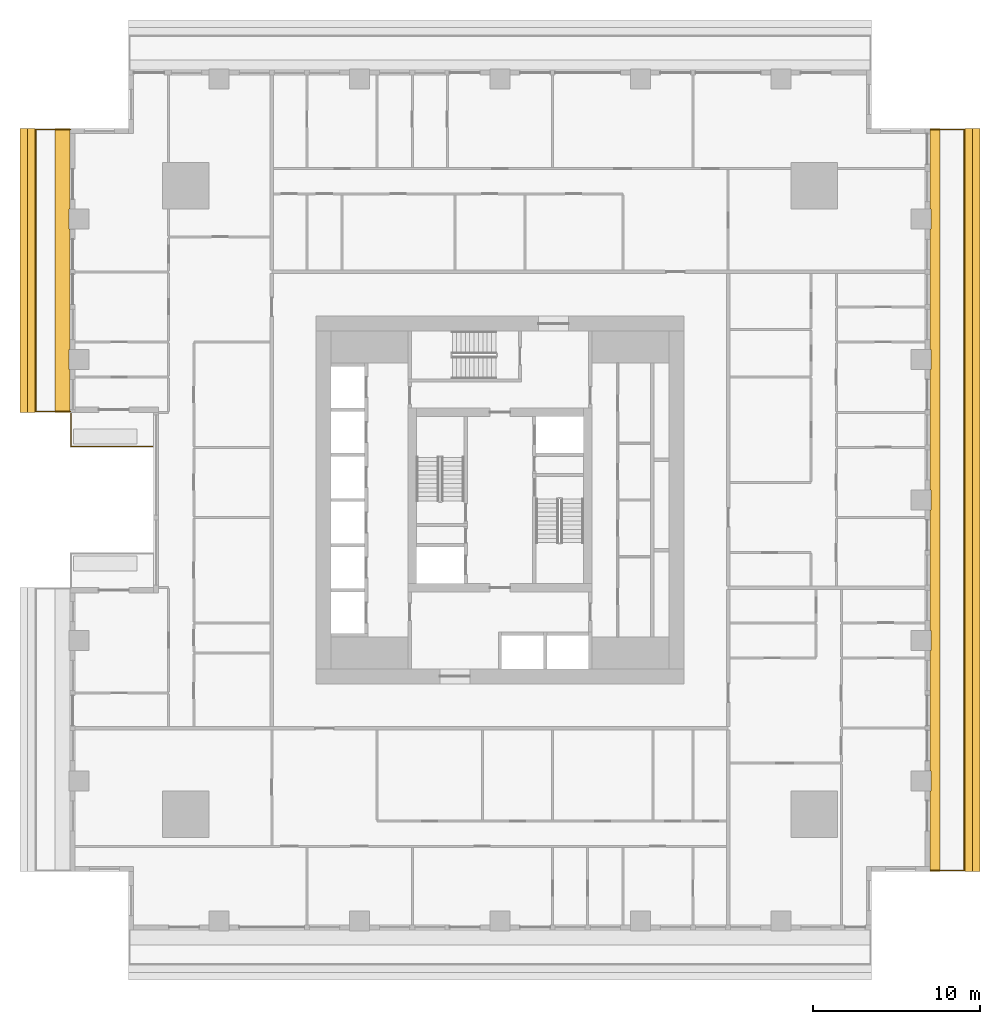
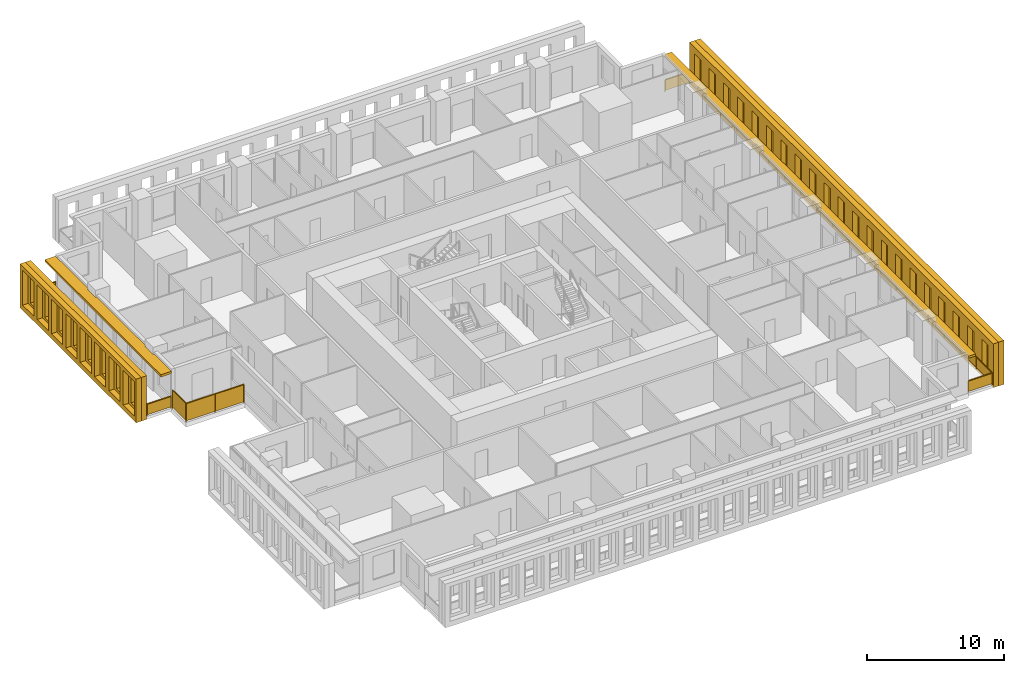
# One storey, part 12 of 14: 6 shading devices, 3 railings.
"""IFC4 building model written with IfcOpenShell, lengths in metres."""

from ifc_helpers import new_model, si_unit, direction, frame, origin, origin_2d, place, context, subcontext, project, spatial, polyline, rectangle, outline, extrude, material, layer, layer_set, type_object, element, save


model = new_model("IFC4")

# Units and contexts
model_context = context("Model", 3, precision=1e-05, world=origin(), true_north=direction((0.0, 1.0)))
body_context = subcontext(model_context, "Body", "Model", "MODEL_VIEW")
ifc_project = project(units=[si_unit("LENGTHUNIT", "METRE"), si_unit("AREAUNIT", "SQUARE_METRE"), si_unit("VOLUMEUNIT", "CUBIC_METRE"), si_unit("PLANEANGLEUNIT", "RADIAN"), si_unit("MASSUNIT", "GRAM", prefix="KILO")], contexts=[model_context])

# Site, building, storey
site_placement = place(None, origin())
site = spatial("IfcSite", under=ifc_project, at=site_placement, CompositionType="ELEMENT")
building_placement = place(site_placement, origin())
building = spatial("IfcBuilding", under=site, at=building_placement, Name="Khepri Terraces", CompositionType="ELEMENT")
storey_placement = place(building_placement, frame((0.0, 0.0, 87.0)))
storey = spatial("IfcBuildingStorey", under=building, at=storey_placement, Name="L20", CompositionType="ELEMENT", Elevation=87.0)

# Railings
ifc_material_1 = material(Name="Stainless steel grade 316", Category="steel")
railing_type_1 = type_object("IfcRailingType", Name="GRD-BAL-1100", PredefinedType="GUARDRAIL", material=ifc_material_1)
railing_1_placement = place(storey_placement, frame((25.719970703125, -22.169921875, 0.0)))
element("IfcRailing", 1, at=railing_1_placement, inside=storey, type_object=railing_type_1, Name="Balcony guard L20 E", PredefinedType="GUARDRAIL", context=body_context, shape_type="SweptSolid", body=[
    extrude(rectangle(XDim=0.050048828125, YDim=0.06005859375, at=origin_2d()), frame((0.0, 0.0, 1.070068359375), z_axis=(1.0, 0.0, 0.0), x_axis=(0.0, 1.0, 0.0)), (0.0, 0.0, 1.0), 2.050048828125),
    extrude(rectangle(XDim=2.0, YDim=0.011962890625, at=origin_2d()), frame((1.02490234375, 0.0, 0.10009765625), z_axis=(0.0, 0.0, 1.0), x_axis=(1.0, 0.0, 0.0)), (0.0, 0.0, 1.0), 0.93994140625),
    extrude(rectangle(XDim=0.050048828125, YDim=0.06005859375, at=origin_2d()), frame((2.050048828125, 0.0, 1.070068359375), z_axis=(0.0, 1.0, 0.0), x_axis=(-1.0, 0.0, 0.0)), (0.0, 0.0, 1.0), 44.33984375),
    extrude(rectangle(XDim=2.28369140625, YDim=0.011962890625, at=origin_2d()), frame((2.050048828125, 1.166748046875, 0.10009765625), z_axis=(0.0, 0.0, 1.0), x_axis=(0.0, 1.0, 0.0)), (0.0, 0.0, 1.0), 0.93994140625),
    extrude(rectangle(XDim=2.28369140625, YDim=0.011962890625, at=origin_2d()), frame((2.050048828125, 3.50048828125, 0.10009765625), z_axis=(0.0, 0.0, 1.0), x_axis=(0.0, 1.0, 0.0)), (0.0, 0.0, 1.0), 0.93994140625),
    extrude(rectangle(XDim=2.28369140625, YDim=0.011962890625, at=origin_2d()), frame((2.050048828125, 5.834228515625, 0.10009765625), z_axis=(0.0, 0.0, 1.0), x_axis=(0.0, 1.0, 0.0)), (0.0, 0.0, 1.0), 0.93994140625),
    extrude(rectangle(XDim=2.28369140625, YDim=0.011962890625, at=origin_2d()), frame((2.050048828125, 8.16796875, 0.10009765625), z_axis=(0.0, 0.0, 1.0), x_axis=(0.0, 1.0, 0.0)), (0.0, 0.0, 1.0), 0.93994140625),
    extrude(rectangle(XDim=2.28369140625, YDim=0.011962890625, at=origin_2d()), frame((2.050048828125, 10.50146484375, 0.10009765625), z_axis=(0.0, 0.0, 1.0), x_axis=(0.0, 1.0, 0.0)), (0.0, 0.0, 1.0), 0.93994140625),
    extrude(rectangle(XDim=2.28369140625, YDim=0.011962890625, at=origin_2d()), frame((2.050048828125, 12.835205078125, 0.10009765625), z_axis=(0.0, 0.0, 1.0), x_axis=(0.0, 1.0, 0.0)), (0.0, 0.0, 1.0), 0.93994140625),
    extrude(rectangle(XDim=2.28369140625, YDim=0.011962890625, at=origin_2d()), frame((2.050048828125, 15.1689453125, 0.10009765625), z_axis=(0.0, 0.0, 1.0), x_axis=(0.0, 1.0, 0.0)), (0.0, 0.0, 1.0), 0.93994140625),
    extrude(rectangle(XDim=2.28369140625, YDim=0.011962890625, at=origin_2d()), frame((2.050048828125, 17.502685546875, 0.10009765625), z_axis=(0.0, 0.0, 1.0), x_axis=(0.0, 1.0, 0.0)), (0.0, 0.0, 1.0), 0.93994140625),
    extrude(rectangle(XDim=2.28369140625, YDim=0.011962890625, at=origin_2d()), frame((2.050048828125, 19.836181640625, 0.10009765625), z_axis=(0.0, 0.0, 1.0), x_axis=(0.0, 1.0, 0.0)), (0.0, 0.0, 1.0), 0.93994140625),
    extrude(rectangle(XDim=2.28369140625, YDim=0.011962890625, at=origin_2d()), frame((2.050048828125, 22.169921875, 0.10009765625), z_axis=(0.0, 0.0, 1.0), x_axis=(0.0, 1.0, 0.0)), (0.0, 0.0, 1.0), 0.93994140625),
    extrude(rectangle(XDim=2.28369140625, YDim=0.011962890625, at=origin_2d()), frame((2.050048828125, 24.503662109375, 0.10009765625), z_axis=(0.0, 0.0, 1.0), x_axis=(0.0, 1.0, 0.0)), (0.0, 0.0, 1.0), 0.93994140625),
    extrude(rectangle(XDim=2.28369140625, YDim=0.011962890625, at=origin_2d()), frame((2.050048828125, 26.837158203125, 0.10009765625), z_axis=(0.0, 0.0, 1.0), x_axis=(0.0, 1.0, 0.0)), (0.0, 0.0, 1.0), 0.93994140625),
    extrude(rectangle(XDim=2.28369140625, YDim=0.011962890625, at=origin_2d()), frame((2.050048828125, 29.1708984375, 0.10009765625), z_axis=(0.0, 0.0, 1.0), x_axis=(0.0, 1.0, 0.0)), (0.0, 0.0, 1.0), 0.93994140625),
    extrude(rectangle(XDim=2.28369140625, YDim=0.011962890625, at=origin_2d()), frame((2.050048828125, 31.504638671875, 0.10009765625), z_axis=(0.0, 0.0, 1.0), x_axis=(0.0, 1.0, 0.0)), (0.0, 0.0, 1.0), 0.93994140625),
    extrude(rectangle(XDim=2.28369140625, YDim=0.011962890625, at=origin_2d()), frame((2.050048828125, 33.83837890625, 0.10009765625), z_axis=(0.0, 0.0, 1.0), x_axis=(0.0, 1.0, 0.0)), (0.0, 0.0, 1.0), 0.93994140625),
    extrude(rectangle(XDim=2.28369140625, YDim=0.011962890625, at=origin_2d()), frame((2.050048828125, 36.171875, 0.10009765625), z_axis=(0.0, 0.0, 1.0), x_axis=(0.0, 1.0, 0.0)), (0.0, 0.0, 1.0), 0.93994140625),
    extrude(rectangle(XDim=2.28369140625, YDim=0.011962890625, at=origin_2d()), frame((2.050048828125, 38.505615234375, 0.10009765625), z_axis=(0.0, 0.0, 1.0), x_axis=(0.0, 1.0, 0.0)), (0.0, 0.0, 1.0), 0.93994140625),
    extrude(rectangle(XDim=2.28369140625, YDim=0.011962890625, at=origin_2d()), frame((2.050048828125, 40.83935546875, 0.10009765625), z_axis=(0.0, 0.0, 1.0), x_axis=(0.0, 1.0, 0.0)), (0.0, 0.0, 1.0), 0.93994140625),
    extrude(rectangle(XDim=2.28369140625, YDim=0.011962890625, at=origin_2d()), frame((2.050048828125, 43.173095703125, 0.10009765625), z_axis=(0.0, 0.0, 1.0), x_axis=(0.0, 1.0, 0.0)), (0.0, 0.0, 1.0), 0.93994140625),
    extrude(rectangle(XDim=0.050048828125, YDim=0.06005859375, at=origin_2d()), frame((2.050048828125, 44.33984375, 1.070068359375), z_axis=(-1.0, 0.0, 0.0), x_axis=(0.0, -1.0, 0.0)), (0.0, 0.0, 1.0), 2.050048828125),
    extrude(rectangle(XDim=2.0, YDim=0.011962890625, at=origin_2d()), frame((1.02490234375, 44.33984375, 0.10009765625), z_axis=(0.0, 0.0, 1.0), x_axis=(-1.0, 0.0, 0.0)), (0.0, 0.0, 1.0), 0.93994140625),
    extrude(rectangle(XDim=0.050048828125, YDim=0.050048828125, at=origin_2d()), origin(), (0.0, 0.0, 1.0), 1.0400390625),
    extrude(rectangle(XDim=0.050048828125, YDim=0.050048828125, at=origin_2d()), frame((2.050048828125, 0.0, 0.0)), (0.0, 0.0, 1.0), 1.0400390625),
    extrude(rectangle(XDim=0.050048828125, YDim=0.050048828125, at=origin_2d()), frame((2.050048828125, 2.333740234375, 0.0)), (0.0, 0.0, 1.0), 1.0400390625),
    extrude(rectangle(XDim=0.050048828125, YDim=0.050048828125, at=origin_2d()), frame((2.050048828125, 4.667236328125, 0.0)), (0.0, 0.0, 1.0), 1.0400390625),
    extrude(rectangle(XDim=0.050048828125, YDim=0.050048828125, at=origin_2d()), frame((2.050048828125, 7.0009765625, 0.0)), (0.0, 0.0, 1.0), 1.0400390625),
    extrude(rectangle(XDim=0.050048828125, YDim=0.050048828125, at=origin_2d()), frame((2.050048828125, 9.334716796875, 0.0)), (0.0, 0.0, 1.0), 1.0400390625),
    extrude(rectangle(XDim=0.050048828125, YDim=0.050048828125, at=origin_2d()), frame((2.050048828125, 11.66845703125, 0.0)), (0.0, 0.0, 1.0), 1.0400390625),
    extrude(rectangle(XDim=0.050048828125, YDim=0.050048828125, at=origin_2d()), frame((2.050048828125, 14.001953125, 0.0)), (0.0, 0.0, 1.0), 1.0400390625),
    extrude(rectangle(XDim=0.050048828125, YDim=0.050048828125, at=origin_2d()), frame((2.050048828125, 16.335693359375, 0.0)), (0.0, 0.0, 1.0), 1.0400390625),
    extrude(rectangle(XDim=0.050048828125, YDim=0.050048828125, at=origin_2d()), frame((2.050048828125, 18.66943359375, 0.0)), (0.0, 0.0, 1.0), 1.0400390625),
    extrude(rectangle(XDim=0.050048828125, YDim=0.050048828125, at=origin_2d()), frame((2.050048828125, 21.003173828125, 0.0)), (0.0, 0.0, 1.0), 1.0400390625),
    extrude(rectangle(XDim=0.050048828125, YDim=0.050048828125, at=origin_2d()), frame((2.050048828125, 23.336669921875, 0.0)), (0.0, 0.0, 1.0), 1.0400390625),
    extrude(rectangle(XDim=0.050048828125, YDim=0.050048828125, at=origin_2d()), frame((2.050048828125, 25.67041015625, 0.0)), (0.0, 0.0, 1.0), 1.0400390625),
    extrude(rectangle(XDim=0.050048828125, YDim=0.050048828125, at=origin_2d()), frame((2.050048828125, 28.004150390625, 0.0)), (0.0, 0.0, 1.0), 1.0400390625),
    extrude(rectangle(XDim=0.050048828125, YDim=0.050048828125, at=origin_2d()), frame((2.050048828125, 30.337890625, 0.0)), (0.0, 0.0, 1.0), 1.0400390625),
    extrude(rectangle(XDim=0.050048828125, YDim=0.050048828125, at=origin_2d()), frame((2.050048828125, 32.67138671875, 0.0)), (0.0, 0.0, 1.0), 1.0400390625),
    extrude(rectangle(XDim=0.050048828125, YDim=0.050048828125, at=origin_2d()), frame((2.050048828125, 35.005126953125, 0.0)), (0.0, 0.0, 1.0), 1.0400390625),
    extrude(rectangle(XDim=0.050048828125, YDim=0.050048828125, at=origin_2d()), frame((2.050048828125, 37.3388671875, 0.0)), (0.0, 0.0, 1.0), 1.0400390625),
    extrude(rectangle(XDim=0.050048828125, YDim=0.050048828125, at=origin_2d()), frame((2.050048828125, 39.672607421875, 0.0)), (0.0, 0.0, 1.0), 1.0400390625),
    extrude(rectangle(XDim=0.050048828125, YDim=0.050048828125, at=origin_2d()), frame((2.050048828125, 42.006103515625, 0.0)), (0.0, 0.0, 1.0), 1.0400390625),
    extrude(rectangle(XDim=0.050048828125, YDim=0.050048828125, at=origin_2d()), frame((2.050048828125, 44.33984375, 0.0)), (0.0, 0.0, 1.0), 1.0400390625),
    extrude(rectangle(XDim=0.050048828125, YDim=0.050048828125, at=origin_2d()), frame((0.0, 44.33984375, 0.0)), (0.0, 0.0, 1.0), 1.0400390625),
])
railing_2_placement = place(storey_placement, frame((-25.719970703125, 22.169921875, 0.0)))
element("IfcRailing", 2, at=railing_2_placement, inside=storey, type_object=railing_type_1, Name="Balcony guard L20 W", PredefinedType="GUARDRAIL", context=body_context, shape_type="SweptSolid", body=[
    extrude(rectangle(XDim=0.050048828125, YDim=0.06005859375, at=origin_2d()), frame((0.0, 0.0, 1.070068359375), z_axis=(-1.0, 0.0, 0.0), x_axis=(0.0, -1.0, 0.0)), (0.0, 0.0, 1.0), 2.050048828125),
    extrude(rectangle(XDim=2.0, YDim=0.011962890625, at=origin_2d()), frame((-1.02490234375, 0.0, 0.10009765625), z_axis=(0.0, 0.0, 1.0), x_axis=(-1.0, 0.0, 0.0)), (0.0, 0.0, 1.0), 0.93994140625),
    extrude(rectangle(XDim=0.050048828125, YDim=0.06005859375, at=origin_2d()), frame((-2.050048828125, 0.0, 1.070068359375), z_axis=(0.0, -1.0, 0.0), x_axis=(1.0, 0.0, 0.0)), (0.0, 0.0, 1.0), 16.869873046875),
    extrude(rectangle(XDim=2.05859375, YDim=0.011962890625, at=origin_2d()), frame((-2.050048828125, -1.054443359375, 0.10009765625), z_axis=(0.0, 0.0, 1.0), x_axis=(0.0, -1.0, 0.0)), (0.0, 0.0, 1.0), 0.93994140625),
    extrude(rectangle(XDim=2.05859375, YDim=0.011962890625, at=origin_2d()), frame((-2.050048828125, -3.1630859375, 0.10009765625), z_axis=(0.0, 0.0, 1.0), x_axis=(0.0, -1.0, 0.0)), (0.0, 0.0, 1.0), 0.93994140625),
    extrude(rectangle(XDim=2.05859375, YDim=0.011962890625, at=origin_2d()), frame((-2.050048828125, -5.271728515625, 0.10009765625), z_axis=(0.0, 0.0, 1.0), x_axis=(0.0, -1.0, 0.0)), (0.0, 0.0, 1.0), 0.93994140625),
    extrude(rectangle(XDim=2.05859375, YDim=0.011962890625, at=origin_2d()), frame((-2.050048828125, -7.380615234375, 0.10009765625), z_axis=(0.0, 0.0, 1.0), x_axis=(0.0, -1.0, 0.0)), (0.0, 0.0, 1.0), 0.93994140625),
    extrude(rectangle(XDim=2.05859375, YDim=0.011962890625, at=origin_2d()), frame((-2.050048828125, -9.4892578125, 0.10009765625), z_axis=(0.0, 0.0, 1.0), x_axis=(0.0, -1.0, 0.0)), (0.0, 0.0, 1.0), 0.93994140625),
    extrude(rectangle(XDim=2.05859375, YDim=0.011962890625, at=origin_2d()), frame((-2.050048828125, -11.59814453125, 0.10009765625), z_axis=(0.0, 0.0, 1.0), x_axis=(0.0, -1.0, 0.0)), (0.0, 0.0, 1.0), 0.93994140625),
    extrude(rectangle(XDim=2.05859375, YDim=0.011962890625, at=origin_2d()), frame((-2.050048828125, -13.706787109375, 0.10009765625), z_axis=(0.0, 0.0, 1.0), x_axis=(0.0, -1.0, 0.0)), (0.0, 0.0, 1.0), 0.93994140625),
    extrude(rectangle(XDim=2.05859375, YDim=0.011962890625, at=origin_2d()), frame((-2.050048828125, -15.8154296875, 0.10009765625), z_axis=(0.0, 0.0, 1.0), x_axis=(0.0, -1.0, 0.0)), (0.0, 0.0, 1.0), 0.93994140625),
    extrude(rectangle(XDim=0.050048828125, YDim=0.06005859375, at=origin_2d()), frame((-2.050048828125, -16.869873046875, 1.070068359375), z_axis=(1.0, 0.0, 0.0), x_axis=(0.0, 1.0, 0.0)), (0.0, 0.0, 1.0), 2.050048828125),
    extrude(rectangle(XDim=2.0, YDim=0.011962890625, at=origin_2d()), frame((-1.02490234375, -16.869873046875, 0.10009765625), z_axis=(0.0, 0.0, 1.0), x_axis=(1.0, 0.0, 0.0)), (0.0, 0.0, 1.0), 0.93994140625),
    extrude(rectangle(XDim=0.050048828125, YDim=0.050048828125, at=origin_2d()), origin(), (0.0, 0.0, 1.0), 1.0400390625),
    extrude(rectangle(XDim=0.050048828125, YDim=0.050048828125, at=origin_2d()), frame((-2.050048828125, 0.0, 0.0)), (0.0, 0.0, 1.0), 1.0400390625),
    extrude(rectangle(XDim=0.050048828125, YDim=0.050048828125, at=origin_2d()), frame((-2.050048828125, -2.108642578125, 0.0)), (0.0, 0.0, 1.0), 1.0400390625),
    extrude(rectangle(XDim=0.050048828125, YDim=0.050048828125, at=origin_2d()), frame((-2.050048828125, -4.217529296875, 0.0)), (0.0, 0.0, 1.0), 1.0400390625),
    extrude(rectangle(XDim=0.050048828125, YDim=0.050048828125, at=origin_2d()), frame((-2.050048828125, -6.326171875, 0.0)), (0.0, 0.0, 1.0), 1.0400390625),
    extrude(rectangle(XDim=0.050048828125, YDim=0.050048828125, at=origin_2d()), frame((-2.050048828125, -8.43505859375, 0.0)), (0.0, 0.0, 1.0), 1.0400390625),
    extrude(rectangle(XDim=0.050048828125, YDim=0.050048828125, at=origin_2d()), frame((-2.050048828125, -10.543701171875, 0.0)), (0.0, 0.0, 1.0), 1.0400390625),
    extrude(rectangle(XDim=0.050048828125, YDim=0.050048828125, at=origin_2d()), frame((-2.050048828125, -12.65234375, 0.0)), (0.0, 0.0, 1.0), 1.0400390625),
    extrude(rectangle(XDim=0.050048828125, YDim=0.050048828125, at=origin_2d()), frame((-2.050048828125, -14.76123046875, 0.0)), (0.0, 0.0, 1.0), 1.0400390625),
    extrude(rectangle(XDim=0.050048828125, YDim=0.050048828125, at=origin_2d()), frame((-2.050048828125, -16.869873046875, 0.0)), (0.0, 0.0, 1.0), 1.0400390625),
    extrude(rectangle(XDim=0.050048828125, YDim=0.050048828125, at=origin_2d()), frame((0.0, -16.869873046875, 0.0)), (0.0, 0.0, 1.0), 1.0400390625),
])
railing_type_2 = type_object("IfcRailingType", Name="GRD-TERR-1700", PredefinedType="GUARDRAIL", material=ifc_material_1)
railing_3_placement = place(storey_placement, frame((-20.7900390625, 3.199951171875, 0.0)))
element("IfcRailing", 3, at=railing_3_placement, inside=storey, type_object=railing_type_2, Name="Terrace guard L20", PredefinedType="GUARDRAIL", context=body_context, shape_type="SweptSolid", body=[
    extrude(rectangle(XDim=0.050048828125, YDim=0.06005859375, at=origin_2d()), frame((0.0, 0.0, 1.669921875), z_axis=(-1.0, 0.0, 0.0), x_axis=(0.0, -1.0, 0.0)), (0.0, 0.0, 1.0), 4.8798828125),
    extrude(rectangle(XDim=2.389892578125, YDim=0.011962890625, at=origin_2d()), frame((-1.219970703125, 0.0, 0.10009765625), z_axis=(0.0, 0.0, 1.0), x_axis=(-1.0, 0.0, 0.0)), (0.0, 0.0, 1.0), 1.539794921875),
    extrude(rectangle(XDim=2.389892578125, YDim=0.011962890625, at=origin_2d()), frame((-3.659912109375, 0.0, 0.10009765625), z_axis=(0.0, 0.0, 1.0), x_axis=(-1.0, 0.0, 0.0)), (0.0, 0.0, 1.0), 1.539794921875),
    extrude(rectangle(XDim=0.050048828125, YDim=0.06005859375, at=origin_2d()), frame((-4.8798828125, 0.0, 1.669921875), z_axis=(0.0, 1.0, 0.0), x_axis=(-1.0, 0.0, 0.0)), (0.0, 0.0, 1.0), 1.97998046875),
    extrude(rectangle(XDim=1.929931640625, YDim=0.011962890625, at=origin_2d()), frame((-4.8798828125, 0.989990234375, 0.10009765625), z_axis=(0.0, 0.0, 1.0), x_axis=(0.0, 1.0, 0.0)), (0.0, 0.0, 1.0), 1.539794921875),
    extrude(rectangle(XDim=0.050048828125, YDim=0.050048828125, at=origin_2d()), origin(), (0.0, 0.0, 1.0), 1.639892578125),
    extrude(rectangle(XDim=0.050048828125, YDim=0.050048828125, at=origin_2d()), frame((-2.43994140625, 0.0, 0.0)), (0.0, 0.0, 1.0), 1.639892578125),
    extrude(rectangle(XDim=0.050048828125, YDim=0.050048828125, at=origin_2d()), frame((-4.8798828125, 0.0, 0.0)), (0.0, 0.0, 1.0), 1.639892578125),
    extrude(rectangle(XDim=0.050048828125, YDim=0.050048828125, at=origin_2d()), frame((-4.8798828125, 1.97998046875, 0.0)), (0.0, 0.0, 1.0), 1.639892578125),
])

# Shading devices
ifc_material_2 = material(Name="Precast concrete C50/60 warm stone", Category="masonry")
shading_device_type_1 = type_object("IfcShadingDeviceType", Name="SCR-CELL-INNER-450", PredefinedType="USERDEFINED", material=ifc_material_2)
shading_device_1_placement = place(storey_placement, frame((27.820068359375, -22.219970703125, -0.25), z_axis=(1.0, 0.0, 0.0), x_axis=(0.0, 1.0, 0.0)))
element("IfcShadingDevice", 4, at=shading_device_1_placement, inside=storey, type_object=shading_device_type_1, Name="Cell screen L20 E in", ObjectType="SCREEN", PredefinedType="USERDEFINED", context=body_context, shape_type="SweptSolid", body=[
    extrude(outline(polyline([(0.0, 0.0), (44.43994140625, 0.0), (44.43994140625, 3.89990234375), (0.0, 3.89990234375), (0.0, 0.0)]), holes=[polyline([(0.74755859375, 0.699951171875), (1.6923828125, 0.699951171875), (1.6923828125, 3.300048828125), (0.74755859375, 3.300048828125), (0.74755859375, 0.699951171875)]), polyline([(2.847412109375, 0.699951171875), (3.79248046875, 0.699951171875), (3.79248046875, 3.300048828125), (2.847412109375, 3.300048828125), (2.847412109375, 0.699951171875)]), polyline([(4.947509765625, 0.699951171875), (5.892578125, 0.699951171875), (5.892578125, 3.300048828125), (4.947509765625, 3.300048828125), (4.947509765625, 0.699951171875)]), polyline([(7.047607421875, 0.699951171875), (7.992431640625, 0.699951171875), (7.992431640625, 3.300048828125), (7.047607421875, 3.300048828125), (7.047607421875, 0.699951171875)]), polyline([(9.1474609375, 0.699951171875), (10.092529296875, 0.699951171875), (10.092529296875, 3.300048828125), (9.1474609375, 3.300048828125), (9.1474609375, 0.699951171875)]), polyline([(11.24755859375, 0.699951171875), (12.1923828125, 0.699951171875), (12.1923828125, 3.300048828125), (11.24755859375, 3.300048828125), (11.24755859375, 0.699951171875)]), polyline([(13.347412109375, 0.699951171875), (14.29248046875, 0.699951171875), (14.29248046875, 3.300048828125), (13.347412109375, 3.300048828125), (13.347412109375, 0.699951171875)]), polyline([(15.447509765625, 0.699951171875), (16.392578125, 0.699951171875), (16.392578125, 3.300048828125), (15.447509765625, 3.300048828125), (15.447509765625, 0.699951171875)]), polyline([(17.547607421875, 0.699951171875), (18.492431640625, 0.699951171875), (18.492431640625, 3.300048828125), (17.547607421875, 3.300048828125), (17.547607421875, 0.699951171875)]), polyline([(19.6474609375, 0.699951171875), (20.592529296875, 0.699951171875), (20.592529296875, 3.300048828125), (19.6474609375, 3.300048828125), (19.6474609375, 0.699951171875)]), polyline([(21.74755859375, 0.699951171875), (22.6923828125, 0.699951171875), (22.6923828125, 3.300048828125), (21.74755859375, 3.300048828125), (21.74755859375, 0.699951171875)]), polyline([(23.847412109375, 0.699951171875), (24.79248046875, 0.699951171875), (24.79248046875, 3.300048828125), (23.847412109375, 3.300048828125), (23.847412109375, 0.699951171875)]), polyline([(25.947509765625, 0.699951171875), (26.892578125, 0.699951171875), (26.892578125, 3.300048828125), (25.947509765625, 3.300048828125), (25.947509765625, 0.699951171875)]), polyline([(28.047607421875, 0.699951171875), (28.992431640625, 0.699951171875), (28.992431640625, 3.300048828125), (28.047607421875, 3.300048828125), (28.047607421875, 0.699951171875)]), polyline([(30.1474609375, 0.699951171875), (31.092529296875, 0.699951171875), (31.092529296875, 3.300048828125), (30.1474609375, 3.300048828125), (30.1474609375, 0.699951171875)]), polyline([(32.24755859375, 0.699951171875), (33.1923828125, 0.699951171875), (33.1923828125, 3.300048828125), (32.24755859375, 3.300048828125), (32.24755859375, 0.699951171875)]), polyline([(34.347412109375, 0.699951171875), (35.29248046875, 0.699951171875), (35.29248046875, 3.300048828125), (34.347412109375, 3.300048828125), (34.347412109375, 0.699951171875)]), polyline([(36.447509765625, 0.699951171875), (37.392578125, 0.699951171875), (37.392578125, 3.300048828125), (36.447509765625, 3.300048828125), (36.447509765625, 0.699951171875)]), polyline([(38.547607421875, 0.699951171875), (39.492431640625, 0.699951171875), (39.492431640625, 3.300048828125), (38.547607421875, 3.300048828125), (38.547607421875, 0.699951171875)]), polyline([(40.6474609375, 0.699951171875), (41.592529296875, 0.699951171875), (41.592529296875, 3.300048828125), (40.6474609375, 3.300048828125), (40.6474609375, 0.699951171875)]), polyline([(42.74755859375, 0.699951171875), (43.6923828125, 0.699951171875), (43.6923828125, 3.300048828125), (42.74755859375, 3.300048828125), (42.74755859375, 0.699951171875)])]), origin(), (0.0, 0.0, 1.0), 0.449951171875),
])
shading_device_2_placement = place(storey_placement, frame((-27.820068359375, 22.219970703125, -0.25), z_axis=(-1.0, 0.0, 0.0), x_axis=(0.0, -1.0, 0.0)))
element("IfcShadingDevice", 5, at=shading_device_2_placement, inside=storey, type_object=shading_device_type_1, Name="Cell screen L20 W in", ObjectType="SCREEN", PredefinedType="USERDEFINED", context=body_context, shape_type="SweptSolid", body=[
    extrude(outline(polyline([(0.0, 0.0), (16.969970703125, 0.0), (16.969970703125, 3.89990234375), (0.0, 3.89990234375), (0.0, 0.0)]), holes=[polyline([(0.74755859375, 0.699951171875), (1.6923828125, 0.699951171875), (1.6923828125, 3.300048828125), (0.74755859375, 3.300048828125), (0.74755859375, 0.699951171875)]), polyline([(2.847412109375, 0.699951171875), (3.79248046875, 0.699951171875), (3.79248046875, 3.300048828125), (2.847412109375, 3.300048828125), (2.847412109375, 0.699951171875)]), polyline([(4.947509765625, 0.699951171875), (5.892578125, 0.699951171875), (5.892578125, 3.300048828125), (4.947509765625, 3.300048828125), (4.947509765625, 0.699951171875)]), polyline([(7.047607421875, 0.699951171875), (7.992431640625, 0.699951171875), (7.992431640625, 3.300048828125), (7.047607421875, 3.300048828125), (7.047607421875, 0.699951171875)]), polyline([(9.1474609375, 0.699951171875), (10.092529296875, 0.699951171875), (10.092529296875, 3.300048828125), (9.1474609375, 3.300048828125), (9.1474609375, 0.699951171875)]), polyline([(11.24755859375, 0.699951171875), (12.1923828125, 0.699951171875), (12.1923828125, 3.300048828125), (11.24755859375, 3.300048828125), (11.24755859375, 0.699951171875)]), polyline([(13.347412109375, 0.699951171875), (14.29248046875, 0.699951171875), (14.29248046875, 3.300048828125), (13.347412109375, 3.300048828125), (13.347412109375, 0.699951171875)]), polyline([(15.447509765625, 0.699951171875), (16.392578125, 0.699951171875), (16.392578125, 3.300048828125), (15.447509765625, 3.300048828125), (15.447509765625, 0.699951171875)])]), origin(), (0.0, 0.0, 1.0), 0.449951171875),
])
shading_device_type_2 = type_object("IfcShadingDeviceType", Name="SCR-CELL-OUTER-450", PredefinedType="USERDEFINED", material=ifc_material_2)
shading_device_3_placement = place(storey_placement, frame((28.27001953125, -22.219970703125, -0.25), z_axis=(1.0, 0.0, 0.0), x_axis=(0.0, 1.0, 0.0)))
element("IfcShadingDevice", 6, at=shading_device_3_placement, inside=storey, type_object=shading_device_type_2, Name="Cell screen L20 E out", ObjectType="SCREEN", PredefinedType="USERDEFINED", context=body_context, shape_type="SweptSolid", body=[
    extrude(outline(polyline([(0.0, 0.0), (44.43994140625, 0.0), (44.43994140625, 3.89990234375), (0.0, 3.89990234375), (0.0, 0.0)]), holes=[polyline([(0.3974609375, 0.449951171875), (2.04248046875, 0.449951171875), (2.04248046875, 3.550048828125), (0.3974609375, 3.550048828125), (0.3974609375, 0.449951171875)]), polyline([(2.49755859375, 0.449951171875), (4.142578125, 0.449951171875), (4.142578125, 3.550048828125), (2.49755859375, 3.550048828125), (2.49755859375, 0.449951171875)]), polyline([(4.597412109375, 0.449951171875), (6.242431640625, 0.449951171875), (6.242431640625, 3.550048828125), (4.597412109375, 3.550048828125), (4.597412109375, 0.449951171875)]), polyline([(6.697509765625, 0.449951171875), (8.342529296875, 0.449951171875), (8.342529296875, 3.550048828125), (6.697509765625, 3.550048828125), (6.697509765625, 0.449951171875)]), polyline([(8.797607421875, 0.449951171875), (10.4423828125, 0.449951171875), (10.4423828125, 3.550048828125), (8.797607421875, 3.550048828125), (8.797607421875, 0.449951171875)]), polyline([(10.8974609375, 0.449951171875), (12.54248046875, 0.449951171875), (12.54248046875, 3.550048828125), (10.8974609375, 3.550048828125), (10.8974609375, 0.449951171875)]), polyline([(12.99755859375, 0.449951171875), (14.642578125, 0.449951171875), (14.642578125, 3.550048828125), (12.99755859375, 3.550048828125), (12.99755859375, 0.449951171875)]), polyline([(15.097412109375, 0.449951171875), (16.742431640625, 0.449951171875), (16.742431640625, 3.550048828125), (15.097412109375, 3.550048828125), (15.097412109375, 0.449951171875)]), polyline([(17.197509765625, 0.449951171875), (18.842529296875, 0.449951171875), (18.842529296875, 3.550048828125), (17.197509765625, 3.550048828125), (17.197509765625, 0.449951171875)]), polyline([(19.297607421875, 0.449951171875), (20.9423828125, 0.449951171875), (20.9423828125, 3.550048828125), (19.297607421875, 3.550048828125), (19.297607421875, 0.449951171875)]), polyline([(21.3974609375, 0.449951171875), (23.04248046875, 0.449951171875), (23.04248046875, 3.550048828125), (21.3974609375, 3.550048828125), (21.3974609375, 0.449951171875)]), polyline([(23.49755859375, 0.449951171875), (25.142578125, 0.449951171875), (25.142578125, 3.550048828125), (23.49755859375, 3.550048828125), (23.49755859375, 0.449951171875)]), polyline([(25.597412109375, 0.449951171875), (27.242431640625, 0.449951171875), (27.242431640625, 3.550048828125), (25.597412109375, 3.550048828125), (25.597412109375, 0.449951171875)]), polyline([(27.697509765625, 0.449951171875), (29.342529296875, 0.449951171875), (29.342529296875, 3.550048828125), (27.697509765625, 3.550048828125), (27.697509765625, 0.449951171875)]), polyline([(29.797607421875, 0.449951171875), (31.4423828125, 0.449951171875), (31.4423828125, 3.550048828125), (29.797607421875, 3.550048828125), (29.797607421875, 0.449951171875)]), polyline([(31.8974609375, 0.449951171875), (33.54248046875, 0.449951171875), (33.54248046875, 3.550048828125), (31.8974609375, 3.550048828125), (31.8974609375, 0.449951171875)]), polyline([(33.99755859375, 0.449951171875), (35.642578125, 0.449951171875), (35.642578125, 3.550048828125), (33.99755859375, 3.550048828125), (33.99755859375, 0.449951171875)]), polyline([(36.097412109375, 0.449951171875), (37.742431640625, 0.449951171875), (37.742431640625, 3.550048828125), (36.097412109375, 3.550048828125), (36.097412109375, 0.449951171875)]), polyline([(38.197509765625, 0.449951171875), (39.842529296875, 0.449951171875), (39.842529296875, 3.550048828125), (38.197509765625, 3.550048828125), (38.197509765625, 0.449951171875)]), polyline([(40.297607421875, 0.449951171875), (41.9423828125, 0.449951171875), (41.9423828125, 3.550048828125), (40.297607421875, 3.550048828125), (40.297607421875, 0.449951171875)]), polyline([(42.3974609375, 0.449951171875), (44.04248046875, 0.449951171875), (44.04248046875, 3.550048828125), (42.3974609375, 3.550048828125), (42.3974609375, 0.449951171875)])]), origin(), (0.0, 0.0, 1.0), 0.449951171875),
])
shading_device_4_placement = place(storey_placement, frame((-28.27001953125, 22.219970703125, -0.25), z_axis=(-1.0, 0.0, 0.0), x_axis=(0.0, -1.0, 0.0)))
element("IfcShadingDevice", 7, at=shading_device_4_placement, inside=storey, type_object=shading_device_type_2, Name="Cell screen L20 W out", ObjectType="SCREEN", PredefinedType="USERDEFINED", context=body_context, shape_type="SweptSolid", body=[
    extrude(outline(polyline([(0.0, 0.0), (16.969970703125, 0.0), (16.969970703125, 3.89990234375), (0.0, 3.89990234375), (0.0, 0.0)]), holes=[polyline([(0.3974609375, 0.449951171875), (2.04248046875, 0.449951171875), (2.04248046875, 3.550048828125), (0.3974609375, 3.550048828125), (0.3974609375, 0.449951171875)]), polyline([(2.49755859375, 0.449951171875), (4.142578125, 0.449951171875), (4.142578125, 3.550048828125), (2.49755859375, 3.550048828125), (2.49755859375, 0.449951171875)]), polyline([(4.597412109375, 0.449951171875), (6.242431640625, 0.449951171875), (6.242431640625, 3.550048828125), (4.597412109375, 3.550048828125), (4.597412109375, 0.449951171875)]), polyline([(6.697509765625, 0.449951171875), (8.342529296875, 0.449951171875), (8.342529296875, 3.550048828125), (6.697509765625, 3.550048828125), (6.697509765625, 0.449951171875)]), polyline([(8.797607421875, 0.449951171875), (10.4423828125, 0.449951171875), (10.4423828125, 3.550048828125), (8.797607421875, 3.550048828125), (8.797607421875, 0.449951171875)]), polyline([(10.8974609375, 0.449951171875), (12.54248046875, 0.449951171875), (12.54248046875, 3.550048828125), (10.8974609375, 3.550048828125), (10.8974609375, 0.449951171875)]), polyline([(12.99755859375, 0.449951171875), (14.642578125, 0.449951171875), (14.642578125, 3.550048828125), (12.99755859375, 3.550048828125), (12.99755859375, 0.449951171875)]), polyline([(15.097412109375, 0.449951171875), (16.742431640625, 0.449951171875), (16.742431640625, 3.550048828125), (15.097412109375, 3.550048828125), (15.097412109375, 0.449951171875)])]), origin(), (0.0, 0.0, 1.0), 0.449951171875),
])
ifc_layer_1 = layer(ifc_material_2, 0.199951171875, Name="Precast concrete C50/60 warm stone", Category="masonry")
ifc_layer_set_1 = layer_set([ifc_layer_1], Name="Precast concrete C50/60 warm stone")
shading_device_type_3 = type_object("IfcShadingDeviceType", Name="SSH-BAND-STONE-200", PredefinedType="USERDEFINED", material=ifc_layer_set_1)
shading_device_5_placement = place(storey_placement, frame((0.0, 0.0, 3.10009765625)))
element("IfcShadingDevice", 8, at=shading_device_5_placement, inside=storey, type_object=shading_device_type_3, Name="Sunshade band L20 W", ObjectType="SUNSHADE", PredefinedType="USERDEFINED", context=body_context, shape_type="SweptSolid", body=[
    extrude(outline(polyline([(-25.719970703125, 17.39990234375), (-25.719970703125, 22.219970703125), (-26.6201171875, 22.219970703125), (-26.6201171875, 5.25), (-25.719970703125, 5.25), (-25.719970703125, 7.800048828125), (-25.800048828125, 7.800048828125), (-25.800048828125, 9.0), (-25.719970703125, 9.0), (-25.719970703125, 16.199951171875), (-25.800048828125, 16.199951171875), (-25.800048828125, 17.39990234375), (-25.719970703125, 17.39990234375)])), origin(), (0.0, 0.0, 1.0), 0.199951171875),
])
ifc_layer_2 = layer(ifc_material_2, 0.199951171875, Name="Precast concrete C50/60 warm stone", Category="masonry")
ifc_layer_set_2 = layer_set([ifc_layer_2], Name="Precast concrete C50/60 warm stone")
shading_device_type_4 = type_object("IfcShadingDeviceType", Name="SSH-BAND-STONE-200-N", PredefinedType="USERDEFINED", material=ifc_layer_set_2)
shading_device_6_placement = place(storey_placement, frame((0.0, 0.0, 3.10009765625)))
element("IfcShadingDevice", 9, at=shading_device_6_placement, inside=storey, type_object=shading_device_type_4, Name="Sunshade band L20 E", ObjectType="SUNSHADE", PredefinedType="USERDEFINED", context=body_context, shape_type="SweptSolid", body=[
    extrude(outline(polyline([(25.719970703125, -17.39990234375), (25.719970703125, -22.219970703125), (26.320068359375, -22.219970703125), (26.320068359375, 22.219970703125), (25.719970703125, 22.219970703125), (25.719970703125, 17.39990234375), (25.800048828125, 17.39990234375), (25.800048828125, 16.199951171875), (25.719970703125, 16.199951171875), (25.719970703125, 9.0), (25.800048828125, 9.0), (25.800048828125, 7.800048828125), (25.719970703125, 7.800048828125), (25.719970703125, 0.60009765625), (25.800048828125, 0.60009765625), (25.800048828125, -0.60009765625), (25.719970703125, -0.60009765625), (25.719970703125, -7.800048828125), (25.800048828125, -7.800048828125), (25.800048828125, -9.0), (25.719970703125, -9.0), (25.719970703125, -16.199951171875), (25.800048828125, -16.199951171875), (25.800048828125, -17.39990234375), (25.719970703125, -17.39990234375)])), origin(), (0.0, 0.0, 1.0), 0.199951171875),
])

save(model, "model.ifc")
